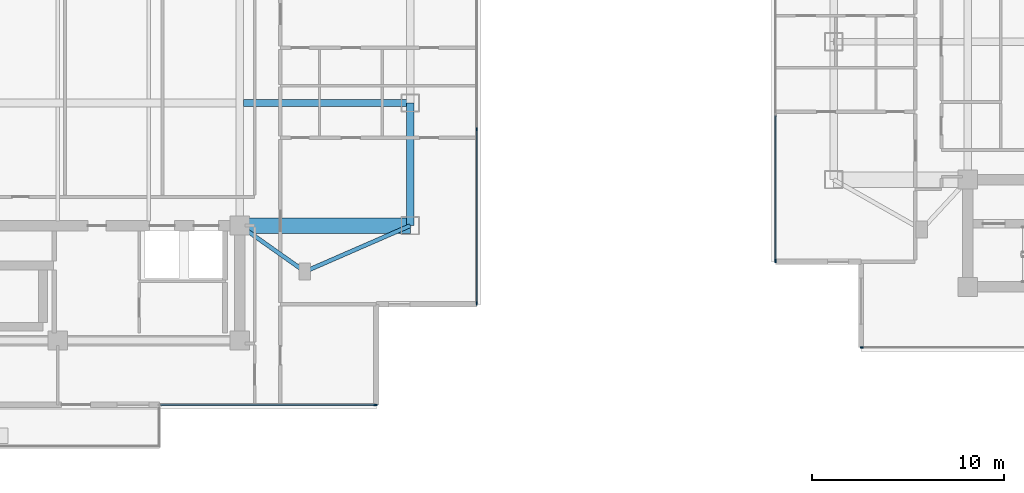
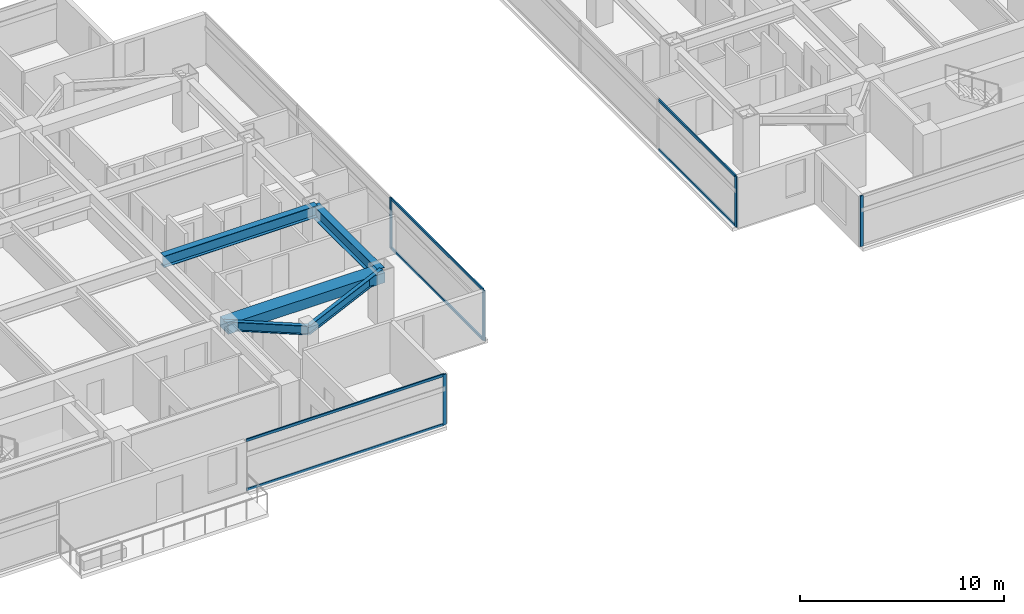
# One storey, part 4 of 25: 11 members, 5 beams, 4 elements without a shape of their own.
"""IFC4 building model written with IfcOpenShell, lengths in metres."""

from ifc_helpers import new_model, si_unit, direction, frame, origin, origin_2d, place, context, subcontext, project, spatial, rectangle, i_section, extrude, material, material_profile, profile_set, type_object, element, aggregate, save


model = new_model("IFC4")

# Units and contexts
model_context = context("Model", 3, precision=1e-05, world=origin(), true_north=direction((0.0, 1.0)))
body_context = subcontext(model_context, "Body", "Model", "MODEL_VIEW")
ifc_project = project(units=[si_unit("LENGTHUNIT", "METRE"), si_unit("AREAUNIT", "SQUARE_METRE"), si_unit("VOLUMEUNIT", "CUBIC_METRE"), si_unit("PLANEANGLEUNIT", "RADIAN"), si_unit("MASSUNIT", "GRAM", prefix="KILO")], contexts=[model_context])

# Site, building, storey
site_placement = place(None, origin())
site = spatial("IfcSite", under=ifc_project, at=site_placement, CompositionType="ELEMENT")
building_placement = place(site_placement, origin())
building = spatial("IfcBuilding", under=site, at=building_placement, Name="Mirazonda Arch Towers", CompositionType="ELEMENT")
storey_placement = place(building_placement, frame((0.0, 0.0, 180.39990234375)))
storey = spatial("IfcBuildingStorey", under=building, at=storey_placement, Name="L51", CompositionType="ELEMENT", Elevation=180.39990234375)

# Beams
ifc_material_1 = material(Name="Steel ASTM A992 Grade 50", Category="steel")
ifc_material_profile_1 = material_profile(ifc_material_1, i_section(OverallWidth=0.381103515625, OverallDepth=0.77294921875, WebThickness=0.0166015625, FlangeThickness=0.027099609375, at=origin_2d()), Name="W30X173")
ifc_profile_set_1 = profile_set([ifc_material_profile_1], Name="Steel ASTM A992 Grade 50")
beam_type_1 = type_object("IfcBeamType", Name="BM-EXT-W30X173", PredefinedType="USERDEFINED", material=ifc_profile_set_1)
beam_1_placement = place(storey_placement, frame((38.89990234375, 18.39990234375, 2.66357421875), z_axis=(0.0, 1.0, 0.0), x_axis=(-1.0, 0.0, 0.0)))
element("IfcBeam", 1, at=beam_1_placement, inside=storey, type_object=beam_type_1, Name="L51 Floor Beam BM-T1-L51-NS-E-18", ObjectType="GIRDER", PredefinedType="USERDEFINED", context=body_context, shape_type="SweptSolid", body=[
    extrude(i_section(OverallWidth=0.381103515625, OverallDepth=0.77294921875, WebThickness=0.0166015625, FlangeThickness=0.027099609375, at=origin_2d()), origin(), (0.0, 0.0, 1.0), 6.400146484375),
])
ifc_material_profile_2 = material_profile(ifc_material_1, i_section(OverallWidth=0.214111328125, OverallDepth=0.549072265625, WebThickness=0.0146484375, FlangeThickness=0.023681640625, at=origin_2d()), Name="W21X93")
ifc_profile_set_2 = profile_set([ifc_material_profile_2], Name="Steel ASTM A992 Grade 50")
beam_type_2 = type_object("IfcBeamType", Name="BM-INT-W21X93", PredefinedType="BEAM", material=ifc_profile_set_2)
beam_2_placement = place(storey_placement, frame((33.39990234375, 16.0, 2.775634765625), z_axis=(-0.816971114901, 0.576678591087, 0.0), x_axis=(-0.576678591087, -0.816971114901, 0.0)))
element("IfcBeam", 2, at=beam_2_placement, inside=storey, type_object=beam_type_2, Name="L51 Floor Beam BM-T1-L51-PL-SE1", PredefinedType="BEAM", context=body_context, shape_type="SweptSolid", body=[
    extrude(i_section(OverallWidth=0.214111328125, OverallDepth=0.549072265625, WebThickness=0.0146484375, FlangeThickness=0.023681640625, at=origin_2d()), origin(), (0.0, 0.0, 1.0), 4.16162109375),
])
beam_3_placement = place(storey_placement, frame((33.39990234375, 16.0, 2.775634765625), z_axis=(0.916545343703, 0.399930785183, 0.0), x_axis=(-0.399930785183, 0.916545343703, 0.0)))
element("IfcBeam", 3, at=beam_3_placement, inside=storey, type_object=beam_type_2, Name="L51 Floor Beam BM-T1-L51-PL-SE2", PredefinedType="BEAM", context=body_context, shape_type="SweptSolid", body=[
    extrude(i_section(OverallWidth=0.214111328125, OverallDepth=0.549072265625, WebThickness=0.0146484375, FlangeThickness=0.023681640625, at=origin_2d()), origin(), (0.0, 0.0, 1.0), 6.000732421875),
])
ifc_material_profile_3 = material_profile(ifc_material_1, i_section(OverallWidth=0.35498046875, OverallDepth=0.696044921875, WebThickness=0.015380859375, FlangeThickness=0.02490234375, at=origin_2d()), Name="W27X146")
ifc_profile_set_3 = profile_set([ifc_material_profile_3], Name="Steel ASTM A992 Grade 50")
beam_type_3 = type_object("IfcBeamType", Name="BM-INT-W27X146", PredefinedType="BEAM", material=ifc_profile_set_3)
beam_4_placement = place(storey_placement, frame((30.199951171875, 24.800048828125, 2.7021484375), z_axis=(1.0, 0.0, 0.0), x_axis=(0.0, 1.0, 0.0)))
element("IfcBeam", 4, at=beam_4_placement, inside=storey, type_object=beam_type_3, Name="L51 Floor Beam BM-T1-L51-GE2", PredefinedType="BEAM", context=body_context, shape_type="SweptSolid", body=[
    extrude(i_section(OverallWidth=0.35498046875, OverallDepth=0.696044921875, WebThickness=0.015380859375, FlangeThickness=0.02490234375, at=origin_2d()), origin(), (0.0, 0.0, 1.0), 8.699951171875),
])
ifc_material_2 = material(Name="Concrete C60/75", Category="concrete")
ifc_material_profile_4 = material_profile(ifc_material_2, rectangle(XDim=0.800048828125, YDim=0.60009765625, at=origin_2d()), Name="RCCB800x600")
ifc_profile_set_4 = profile_set([ifc_material_profile_4], Name="Concrete C60/75")
beam_type_4 = type_object("IfcBeamType", Name="CB-INT-RCCB800x600", PredefinedType="SPANDREL", material=ifc_profile_set_4)
beam_5_placement = place(storey_placement, frame((30.0, 18.39990234375, 2.75), z_axis=(1.0, 0.0, 0.0), x_axis=(0.0, 1.0, 0.0)))
element("IfcBeam", 5, at=beam_5_placement, inside=storey, type_object=beam_type_4, Name="L51 Floor Beam CBC-T1-L51-SE", PredefinedType="SPANDREL", context=body_context, shape_type="SweptSolid", body=[
    extrude(rectangle(XDim=0.800048828125, YDim=0.60009765625, at=origin_2d()), origin(), (0.0, 0.0, 1.0), 8.89990234375),
])

# Curtain wall, member
ifc_material_3 = material(Name="Anodised Aluminium and Low-E Glass", Category="aluminium")
curtain_wall_type = type_object("IfcCurtainWallType", Name="CW-RES-UNIT", PredefinedType="NOTDEFINED", material=ifc_material_3)
curtain_wall_1_placement = place(storey_placement, origin())
curtain_wall_1 = element("IfcCurtainWall", 6, at=curtain_wall_1_placement, inside=storey, type_object=curtain_wall_type, Name="L51 Curtain Wall CW-L51-T1-SA", PredefinedType="NOTDEFINED")
ifc_material_4 = material(Name="Anodised Aluminium Alloy", Category="aluminium")
ifc_material_profile_5 = material_profile(ifc_material_4, rectangle(XDim=0.074951171875, YDim=0.175048828125, at=origin_2d()), Name="ALU-MULL-75x175")
ifc_profile_set_5 = profile_set([ifc_material_profile_5], Name="Anodised Aluminium Alloy")
member_type_1 = type_object("IfcMemberType", Name="MULL-CW-RES-UNIT", PredefinedType="MULLION", material=ifc_profile_set_5)
member_1_placement = place(storey_placement, frame((37.08740234375, 9.0458984375, 0.0), z_axis=(0.0, 0.0, 1.0), x_axis=(0.0, -1.0, 0.0)))
member_1 = element("IfcMember", 7, at=member_1_placement, type_object=member_type_1, Name="CW-104 mullion 1", PredefinedType="MULLION", context=body_context, shape_type="SweptSolid", body=[
    extrude(rectangle(XDim=0.074951171875, YDim=0.175048828125, at=origin_2d()), origin(), (0.0, 0.0, 1.0), 3.030029296875),
])

# Curtain wall, members
curtain_wall_2_placement = place(storey_placement, origin())
curtain_wall_2 = element("IfcCurtainWall", 8, at=curtain_wall_2_placement, inside=storey, type_object=curtain_wall_type, Name="L51 T1 E Facade CW-L51-T1-E", PredefinedType="NOTDEFINED")
member_2_placement = place(storey_placement, frame((42.3701171875, 14.32861328125, 0.0), z_axis=(0.0, 0.0, 1.0), x_axis=(-1.0, 0.0, 0.0)))
member_2 = element("IfcMember", 9, at=member_2_placement, type_object=member_type_1, Name="CW-104 mullion 1", PredefinedType="MULLION", context=body_context, shape_type="SweptSolid", body=[
    extrude(rectangle(XDim=0.074951171875, YDim=0.175048828125, at=origin_2d()), origin(), (0.0, 0.0, 1.0), 3.030029296875),
])
member_3_placement = place(storey_placement, frame((42.3701171875, 23.430419921875, 0.0), z_axis=(0.0, 0.0, 1.0), x_axis=(-1.0, 0.0, 0.0)))
member_3 = element("IfcMember", 10, at=member_3_placement, type_object=member_type_1, Name="CW-104 mullion 2", PredefinedType="MULLION", context=body_context, shape_type="SweptSolid", body=[
    extrude(rectangle(XDim=0.074951171875, YDim=0.175048828125, at=origin_2d()), origin(), (0.0, 0.0, 1.0), 3.030029296875),
])

# Curtain wall, member
curtain_wall_3_placement = place(storey_placement, origin())
curtain_wall_3 = element("IfcCurtainWall", 11, at=curtain_wall_3_placement, inside=storey, type_object=curtain_wall_type, Name="L51 T2 S Facade CW-L51-T2-S", PredefinedType="NOTDEFINED")
member_4_placement = place(storey_placement, frame((62.46630859375, 12.0419921875, 0.0), z_axis=(0.0, 0.0, 1.0), x_axis=(0.0, -1.0, 0.0)))
member_4 = element("IfcMember", 12, at=member_4_placement, type_object=member_type_1, Name="CW-104 mullion 4", PredefinedType="MULLION", context=body_context, shape_type="SweptSolid", body=[
    extrude(rectangle(XDim=0.074951171875, YDim=0.175048828125, at=origin_2d()), origin(), (0.0, 0.0, 1.0), 3.030029296875),
])
aggregate(curtain_wall_3, [member_4])

curtain_wall_4_placement = place(storey_placement, origin())
curtain_wall_4 = element("IfcCurtainWall", 13, at=curtain_wall_4_placement, inside=storey, type_object=curtain_wall_type, Name="L51 T2 W Facade CW-L51-T2-W", PredefinedType="NOTDEFINED")
member_5_placement = place(storey_placement, frame((57.96337890625, 16.544921875, 0.0), z_axis=(0.0, 0.0, 1.0), x_axis=(1.0, 0.0, 0.0)))
member_5 = element("IfcMember", 14, at=member_5_placement, type_object=member_type_1, Name="CW-104 mullion 4", PredefinedType="MULLION", context=body_context, shape_type="SweptSolid", body=[
    extrude(rectangle(XDim=0.074951171875, YDim=0.175048828125, at=origin_2d()), origin(), (0.0, 0.0, 1.0), 3.030029296875),
])

# Member
ifc_material_profile_6 = material_profile(ifc_material_4, rectangle(XDim=0.074951171875, YDim=0.155029296875, at=origin_2d()), Name="ALU-TRAN-75x155")
ifc_profile_set_6 = profile_set([ifc_material_profile_6], Name="Anodised Aluminium Alloy")
member_type_2 = type_object("IfcMemberType", Name="TRAN-CW-RES-UNIT", PredefinedType="USERDEFINED", material=ifc_profile_set_6)
member_6_placement = place(storey_placement, frame((37.050048828125, 9.0458984375, 0.03759765625), z_axis=(-1.0, 0.0, 0.0), x_axis=(0.0, -1.0, 0.0)))
member_6 = element("IfcMember", 15, at=member_6_placement, type_object=member_type_2, Name="CW-104 transom 1.1", ObjectType="TRANSOM", PredefinedType="USERDEFINED", context=body_context, shape_type="SweptSolid", body=[
    extrude(rectangle(XDim=0.074951171875, YDim=0.155029296875, at=origin_2d()), origin(), (0.0, 0.0, 1.0), 11.18505859375),
])

member_7_placement = place(storey_placement, frame((37.050048828125, 9.0458984375, 2.99267578125), z_axis=(-1.0, 0.0, 0.0), x_axis=(0.0, -1.0, 0.0)))
member_7 = element("IfcMember", 16, at=member_7_placement, type_object=member_type_2, Name="CW-104 transom 1.2", ObjectType="TRANSOM", PredefinedType="USERDEFINED", context=body_context, shape_type="SweptSolid", body=[
    extrude(rectangle(XDim=0.074951171875, YDim=0.155029296875, at=origin_2d()), origin(), (0.0, 0.0, 1.0), 11.18505859375),
])

aggregate(curtain_wall_1, [member_1, member_6, member_7])

member_8_placement = place(storey_placement, frame((42.3701171875, 14.365966796875, 0.03759765625), z_axis=(0.0, 1.0, 0.0), x_axis=(-1.0, 0.0, 0.0)))
member_8 = element("IfcMember", 17, at=member_8_placement, type_object=member_type_2, Name="CW-104 transom 1.1", ObjectType="TRANSOM", PredefinedType="USERDEFINED", context=body_context, shape_type="SweptSolid", body=[
    extrude(rectangle(XDim=0.074951171875, YDim=0.155029296875, at=origin_2d()), origin(), (0.0, 0.0, 1.0), 9.02685546875),
])

member_9_placement = place(storey_placement, frame((42.3701171875, 14.365966796875, 2.99267578125), z_axis=(0.0, 1.0, 0.0), x_axis=(-1.0, 0.0, 0.0)))
member_9 = element("IfcMember", 18, at=member_9_placement, type_object=member_type_2, Name="CW-104 transom 1.2", ObjectType="TRANSOM", PredefinedType="USERDEFINED", context=body_context, shape_type="SweptSolid", body=[
    extrude(rectangle(XDim=0.074951171875, YDim=0.155029296875, at=origin_2d()), origin(), (0.0, 0.0, 1.0), 9.02685546875),
])

aggregate(curtain_wall_2, [member_2, member_3, member_8, member_9])

member_10_placement = place(storey_placement, frame((57.96337890625, 24.131591796875, 0.03759765625), z_axis=(0.0, -1.0, 0.0), x_axis=(1.0, 0.0, 0.0)))
member_10 = element("IfcMember", 19, at=member_10_placement, type_object=member_type_2, Name="CW-104 transom 3.1", ObjectType="TRANSOM", PredefinedType="USERDEFINED", context=body_context, shape_type="SweptSolid", body=[
    extrude(rectangle(XDim=0.074951171875, YDim=0.155029296875, at=origin_2d()), origin(), (0.0, 0.0, 1.0), 7.54931640625),
])

member_11_placement = place(storey_placement, frame((57.96337890625, 24.131591796875, 2.99267578125), z_axis=(0.0, -1.0, 0.0), x_axis=(1.0, 0.0, 0.0)))
member_11 = element("IfcMember", 20, at=member_11_placement, type_object=member_type_2, Name="CW-104 transom 3.2", ObjectType="TRANSOM", PredefinedType="USERDEFINED", context=body_context, shape_type="SweptSolid", body=[
    extrude(rectangle(XDim=0.074951171875, YDim=0.155029296875, at=origin_2d()), origin(), (0.0, 0.0, 1.0), 7.54931640625),
])

aggregate(curtain_wall_4, [member_5, member_10, member_11])

save(model, "model.ifc")
